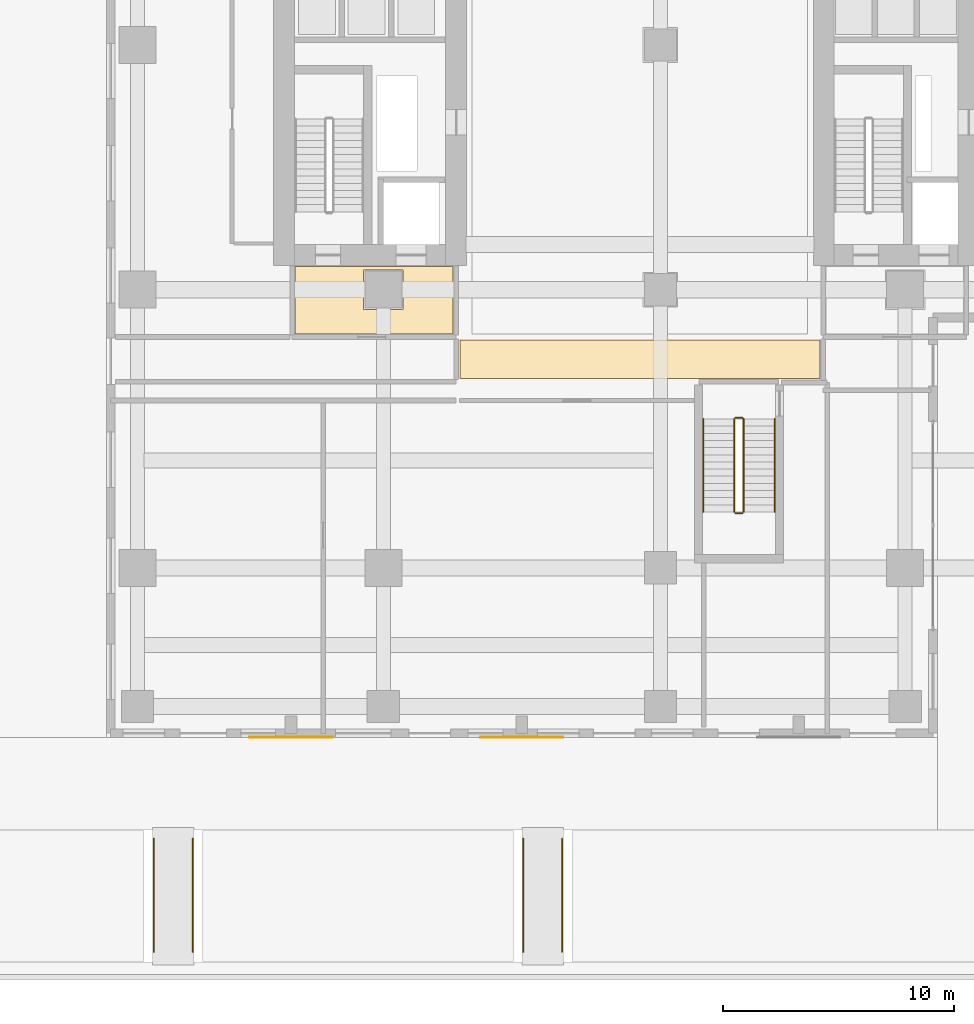
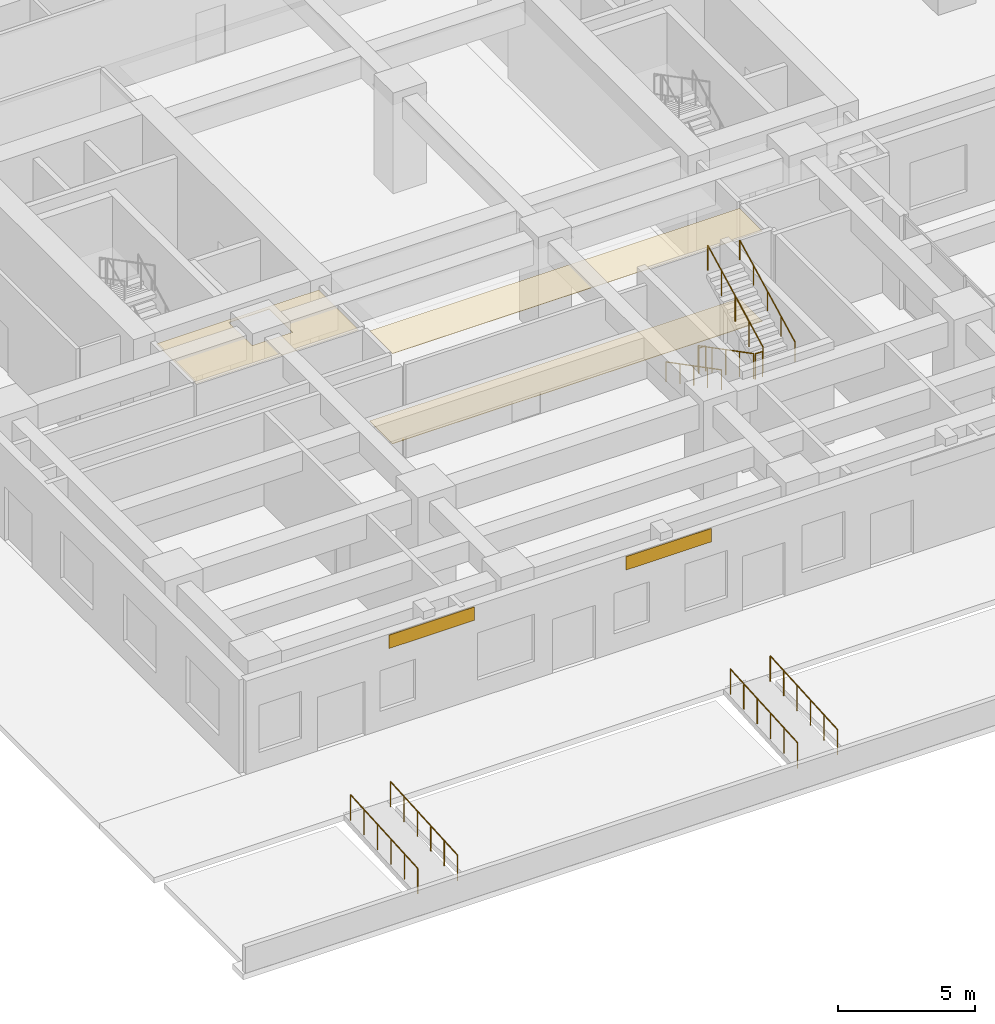
# One storey, part 31 of 39: 10 railings, 5 coverings.
"""IFC4 building model written with IfcOpenShell, lengths in metres."""

from ifc_helpers import new_model, si_unit, direction, frame, origin, origin_2d, place, context, subcontext, project, spatial, polyline, rectangle, circle, outline, extrude, source, transform, mapped, material, layer, layer_set, type_object, element, save


model = new_model("IFC4")

# Units and contexts
model_context = context("Model", 3, precision=1e-05, world=origin(), true_north=direction((0.0, 1.0)))
body_context = subcontext(model_context, "Body", "Model", "MODEL_VIEW")
ifc_project = project(units=[si_unit("LENGTHUNIT", "METRE"), si_unit("AREAUNIT", "SQUARE_METRE"), si_unit("VOLUMEUNIT", "CUBIC_METRE"), si_unit("PLANEANGLEUNIT", "RADIAN"), si_unit("MASSUNIT", "GRAM", prefix="KILO")], contexts=[model_context])

# Site, building, storey
site_placement = place(None, origin())
site = spatial("IfcSite", under=ifc_project, at=site_placement, CompositionType="ELEMENT")
building_placement = place(site_placement, origin())
building = spatial("IfcBuilding", under=site, at=building_placement, Name="Khoralis Quay Care Tower", CompositionType="ELEMENT")
storey_placement = place(building_placement, origin())
storey = spatial("IfcBuildingStorey", under=building, at=storey_placement, Name="L00", CompositionType="ELEMENT", Elevation=0.0)

# Coverings
ifc_material_1 = material(Name="Mineral-fibre acoustic ceiling tile")
ifc_layer_1 = layer(ifc_material_1, 0.01806640625)
ifc_layer_set_1 = layer_set([ifc_layer_1], Name="Mineral-fibre acoustic ceiling tile")
covering_type_1 = type_object("IfcCoveringType", Name="COV-CEIL-AC18", PredefinedType="CEILING", material=ifc_layer_set_1)
covering_1_placement = place(storey_placement, frame((0.0, 0.0, 4.011962890625)))
element("IfcCovering", 1, at=covering_1_placement, inside=storey, type_object=covering_type_1, Name="Suspended Acoustic Ceiling SP-L00-FFLOB-W", PredefinedType="CEILING", context=body_context, shape_type="SweptSolid", body=[
    extrude(outline(polyline([(8.179931640625, 11.47998046875), (15.02001953125, 11.47998046875), (15.02001953125, 14.39990234375), (8.179931640625, 14.39990234375), (8.179931640625, 11.47998046875)]), holes=[polyline([(11.14990234375, 12.550048828125), (12.85009765625, 12.550048828125), (12.85009765625, 14.25), (11.14990234375, 14.25), (11.14990234375, 12.550048828125)])]), origin(), (0.0, 0.0, 1.0), 0.01806640625),
])
covering_2_placement = place(storey_placement, frame((0.0, 0.0, 4.011962890625)))
element("IfcCovering", 2, at=covering_2_placement, inside=storey, type_object=covering_type_1, Name="Suspended Acoustic Ceiling SP-L00-PCORR-M", PredefinedType="CEILING", context=body_context, shape_type="SweptSolid", body=[
    extrude(outline(polyline([(15.330078125, 9.550048828125), (30.909912109375, 9.550048828125), (30.909912109375, 11.219970703125), (15.330078125, 11.219970703125), (15.330078125, 9.550048828125)])), origin(), (0.0, 0.0, 1.0), 0.01806640625),
])
ifc_material_2 = material(Name="Porcelain and non-slip vinyl flooring")
ifc_layer_2 = layer(ifc_material_2, 0.02001953125)
ifc_layer_set_2 = layer_set([ifc_layer_2], Name="Porcelain and non-slip vinyl flooring")
covering_type_2 = type_object("IfcCoveringType", Name="COV-FLOOR-20", PredefinedType="FLOORING", material=ifc_layer_set_2)
covering_3_placement = place(storey_placement, origin())
element("IfcCovering", 3, at=covering_3_placement, inside=storey, type_object=covering_type_2, Name="Resilient Healthcare Flooring SP-L00-PCORR-M", PredefinedType="FLOORING", context=body_context, shape_type="SweptSolid", body=[
    extrude(outline(polyline([(15.330078125, 9.550048828125), (30.909912109375, 9.550048828125), (30.909912109375, 11.219970703125), (15.330078125, 11.219970703125), (15.330078125, 9.550048828125)])), origin(), (0.0, 0.0, 1.0), 0.02001953125),
])

# Railings
ifc_material_3 = material(Name="Pale anodised aluminium", Category="aluminium")
railing_type_1 = type_object("IfcRailingType", Name="RL-BALUST-1150", PredefinedType="BALUSTRADE", material=ifc_material_3)
for number, where, name in (
    (4, (2.06005859375, -15.280029296875, -0.330078125), "Ramp 1 West Guard"),
    (5, (3.739990234375, -15.280029296875, -0.330078125), "Ramp 1 East Guard"),
    (6, (18.06005859375, -15.280029296875, -0.330078125), "Ramp 2 West Guard"),
    (7, (19.739990234375, -15.280029296875, -0.330078125), "Ramp 2 East Guard"),
):
    element("IfcRailing", number, at=place(storey_placement, frame(where)), inside=storey, type_object=railing_type_1, Name=name, PredefinedType="BALUSTRADE", context=body_context, shape_type="SweptSolid", body=[
        extrude(circle(Radius=0.02392578125, at=origin_2d()), frame((0.0, 0.0, 1.1259765625), z_axis=(0.0, 0.998004104959, 0.063149081426), x_axis=(-1.0, 0.0, 0.0)), (0.0, 0.0, 1.0), 4.909912109375),
        extrude(circle(Radius=0.02099609375, at=origin_2d()), origin(), (0.0, 0.0, 1.0), 1.101806640625),
        extrude(circle(Radius=0.02099609375, at=origin_2d()), frame((0.0, 0.97998046875, 0.06201171875)), (0.0, 0.0, 1.0), 1.101806640625),
        extrude(circle(Radius=0.02099609375, at=origin_2d()), frame((0.0, 1.9599609375, 0.1240234375)), (0.0, 0.0, 1.0), 1.101806640625),
        extrude(circle(Radius=0.02099609375, at=origin_2d()), frame((0.0, 2.940185546875, 0.18603515625)), (0.0, 0.0, 1.0), 1.101806640625),
        extrude(circle(Radius=0.02099609375, at=origin_2d()), frame((0.0, 3.920166015625, 0.248046875)), (0.0, 0.0, 1.0), 1.101806640625),
        extrude(circle(Radius=0.02099609375, at=origin_2d()), frame((0.0, 4.900146484375, 0.31005859375)), (0.0, 0.0, 1.0), 1.101806640625),
    ])
ifc_material_4 = material(Name="Brushed stainless steel", Category="steel")
railing_type_2 = type_object("IfcRailingType", Name="RL-GUARD-1150", PredefinedType="GUARDRAIL", material=ifc_material_4)
railing_1_placement = place(storey_placement, frame((27.199951171875, 7.800048828125, 0.16064453125)))
element("IfcRailing", 8, at=railing_1_placement, inside=storey, type_object=railing_type_2, Name="L00 ST-P1 stair guard 1", PredefinedType="GUARDRAIL", context=body_context, shape_type="SweptSolid", body=[
    extrude(circle(Radius=0.02392578125, at=origin_2d()), frame((0.0, 0.0, 1.1259765625), z_axis=(0.0, -0.887780577991, 0.46026692836), x_axis=(1.0, 0.0, 0.0)), (0.0, 0.0, 1.0), 4.53955078125),
    extrude(circle(Radius=0.02099609375, at=origin_2d()), origin(), (0.0, 0.0, 1.0), 1.101806640625),
    extrude(circle(Radius=0.02099609375, at=origin_2d()), frame((0.0, -1.007568359375, 0.5224609375)), (0.0, 0.0, 1.0), 1.101806640625),
    extrude(circle(Radius=0.02099609375, at=origin_2d()), frame((0.0, -2.01513671875, 1.044677734375)), (0.0, 0.0, 1.0), 1.101806640625),
    extrude(circle(Radius=0.02099609375, at=origin_2d()), frame((0.0, -3.0224609375, 1.56689453125)), (0.0, 0.0, 1.0), 1.101806640625),
    extrude(circle(Radius=0.02099609375, at=origin_2d()), frame((0.0, -4.030029296875, 2.08935546875)), (0.0, 0.0, 1.0), 1.101806640625),
])
railing_2_placement = place(storey_placement, frame((27.25, 3.719970703125, 2.25)))
element("IfcRailing", 9, at=railing_2_placement, inside=storey, type_object=railing_type_2, Name="L00 ST-P1 stair guard 2", PredefinedType="GUARDRAIL", context=body_context, shape_type="SweptSolid", body=[
    extrude(circle(Radius=0.02392578125, at=origin_2d()), frame((0.0, 0.0, 1.1259765625), z_axis=(1.0, 0.0, 0.0), x_axis=(0.0, 1.0, 0.0)), (0.0, 0.0, 1.0), 0.300048828125),
    extrude(circle(Radius=0.02099609375, at=origin_2d()), origin(), (0.0, 0.0, 1.0), 1.101806640625),
    extrude(circle(Radius=0.02099609375, at=origin_2d()), frame((0.300048828125, 0.0, 0.0)), (0.0, 0.0, 1.0), 1.101806640625),
])
railing_3_placement = place(storey_placement, frame((27.60009765625, 3.77001953125, 2.41064453125)))
element("IfcRailing", 10, at=railing_3_placement, inside=storey, type_object=railing_type_2, Name="L00 ST-P1 stair guard 3", PredefinedType="GUARDRAIL", context=body_context, shape_type="SweptSolid", body=[
    extrude(circle(Radius=0.02392578125, at=origin_2d()), frame((0.0, 0.0, 1.1259765625), z_axis=(0.0, 0.887780577991, 0.46026692836), x_axis=(-1.0, 0.0, 0.0)), (0.0, 0.0, 1.0), 4.53955078125),
    extrude(circle(Radius=0.02099609375, at=origin_2d()), origin(), (0.0, 0.0, 1.0), 1.101806640625),
    extrude(circle(Radius=0.02099609375, at=origin_2d()), frame((0.0, 1.007568359375, 0.5224609375)), (0.0, 0.0, 1.0), 1.101806640625),
    extrude(circle(Radius=0.02099609375, at=origin_2d()), frame((0.0, 2.01513671875, 1.044677734375)), (0.0, 0.0, 1.0), 1.101806640625),
    extrude(circle(Radius=0.02099609375, at=origin_2d()), frame((0.0, 3.0224609375, 1.56689453125)), (0.0, 0.0, 1.0), 1.101806640625),
    extrude(circle(Radius=0.02099609375, at=origin_2d()), frame((0.0, 4.030029296875, 2.08935546875)), (0.0, 0.0, 1.0), 1.101806640625),
])
railing_4_placement = place(storey_placement, frame((27.25, 7.85009765625, 0.0)))
element("IfcRailing", 11, at=railing_4_placement, inside=storey, type_object=railing_type_2, Name="L00 ST-P1 stair guard 4", PredefinedType="GUARDRAIL", context=body_context, shape_type="SweptSolid", body=[
    extrude(circle(Radius=0.02392578125, at=origin_2d()), frame((0.0, 0.0, 1.1259765625), z_axis=(1.0, 0.0, 0.0), x_axis=(0.0, 1.0, 0.0)), (0.0, 0.0, 1.0), 0.300048828125),
    extrude(circle(Radius=0.02099609375, at=origin_2d()), origin(), (0.0, 0.0, 1.0), 1.101806640625),
    extrude(circle(Radius=0.02099609375, at=origin_2d()), frame((0.300048828125, 0.0, 0.0)), (0.0, 0.0, 1.0), 1.101806640625),
])
railing_type_3 = type_object("IfcRailingType", Name="RL-HAND-900", PredefinedType="HANDRAIL", material=ifc_material_4)
railing_5_placement = place(storey_placement, frame((25.85009765625, 7.800048828125, 0.16064453125)))
element("IfcRailing", 12, at=railing_5_placement, inside=storey, type_object=railing_type_3, Name="L00 ST-P1 stair handrail 1", PredefinedType="HANDRAIL", context=body_context, shape_type="SweptSolid", body=[
    extrude(circle(Radius=0.02392578125, at=origin_2d()), frame((0.0, 0.0, 0.8759765625), z_axis=(0.0, -0.887780577991, 0.46026692836), x_axis=(1.0, 0.0, 0.0)), (0.0, 0.0, 1.0), 4.53955078125),
    extrude(circle(Radius=0.02099609375, at=origin_2d()), origin(), (0.0, 0.0, 1.0), 0.851806640625),
    extrude(circle(Radius=0.02099609375, at=origin_2d()), frame((0.0, -1.007568359375, 0.5224609375)), (0.0, 0.0, 1.0), 0.851806640625),
    extrude(circle(Radius=0.02099609375, at=origin_2d()), frame((0.0, -2.01513671875, 1.044677734375)), (0.0, 0.0, 1.0), 0.851806640625),
    extrude(circle(Radius=0.02099609375, at=origin_2d()), frame((0.0, -3.0224609375, 1.56689453125)), (0.0, 0.0, 1.0), 0.851806640625),
    extrude(circle(Radius=0.02099609375, at=origin_2d()), frame((0.0, -4.030029296875, 2.08935546875)), (0.0, 0.0, 1.0), 0.851806640625),
])
railing_6_placement = place(storey_placement, frame((28.949951171875, 3.77001953125, 2.41064453125)))
element("IfcRailing", 13, at=railing_6_placement, inside=storey, type_object=railing_type_3, Name="L00 ST-P1 stair handrail 2", PredefinedType="HANDRAIL", context=body_context, shape_type="SweptSolid", body=[
    extrude(circle(Radius=0.02392578125, at=origin_2d()), frame((0.0, 0.0, 0.8759765625), z_axis=(0.0, 0.887780577991, 0.46026692836), x_axis=(-1.0, 0.0, 0.0)), (0.0, 0.0, 1.0), 4.53955078125),
    extrude(circle(Radius=0.02099609375, at=origin_2d()), origin(), (0.0, 0.0, 1.0), 0.851806640625),
    extrude(circle(Radius=0.02099609375, at=origin_2d()), frame((0.0, 1.007568359375, 0.5224609375)), (0.0, 0.0, 1.0), 0.851806640625),
    extrude(circle(Radius=0.02099609375, at=origin_2d()), frame((0.0, 2.01513671875, 1.044677734375)), (0.0, 0.0, 1.0), 0.851806640625),
    extrude(circle(Radius=0.02099609375, at=origin_2d()), frame((0.0, 3.0224609375, 1.56689453125)), (0.0, 0.0, 1.0), 0.851806640625),
    extrude(circle(Radius=0.02099609375, at=origin_2d()), frame((0.0, 4.030029296875, 2.08935546875)), (0.0, 0.0, 1.0), 0.851806640625),
])

# Coverings
ifc_material_5 = material(Name="Brushed pale anodised aluminium", Category="aluminium")
ifc_layer_3 = layer(ifc_material_5, 0.0400390625)
ifc_layer_set_3 = layer_set([ifc_layer_3], Name="Brushed pale anodised aluminium")
covering_type_3 = type_object("IfcCoveringType", Name="COV-CLAD-40", PredefinedType="CLADDING", material=ifc_layer_set_3)
shared_shape = source(origin(), body_context, "Body", "SweptSolid", [
    extrude(rectangle(XDim=3.60009765625, YDim=0.0400390625, at=origin_2d()), origin(), (0.0, 0.0, 1.0), 0.60009765625),
])
for number, where, z_axis, x_axis, name in (
    (14, (8.0, -5.97998046875, 3.510009765625), (0.0, 0.0, 1.0), (1.0, 0.0, 0.0), "L00 Pale-Metal Spandrel Cladding Panel 1"),
    (15, (18.0, -5.97998046875, 3.510009765625), (0.0, 0.0, 1.0), (1.0, 0.0, 0.0), "L00 Pale-Metal Spandrel Cladding Panel 2"),
):
    element("IfcCovering", number, at=place(storey_placement, frame(where, z_axis=z_axis, x_axis=x_axis)), inside=storey, type_object=covering_type_3, Name=name, PredefinedType="CLADDING", context=body_context, shape_type="MappedRepresentation", body=[
        mapped(shared_shape, transform((0.0, 0.0, 0.0), scale=1.0)),
    ])

save(model, "model.ifc")
